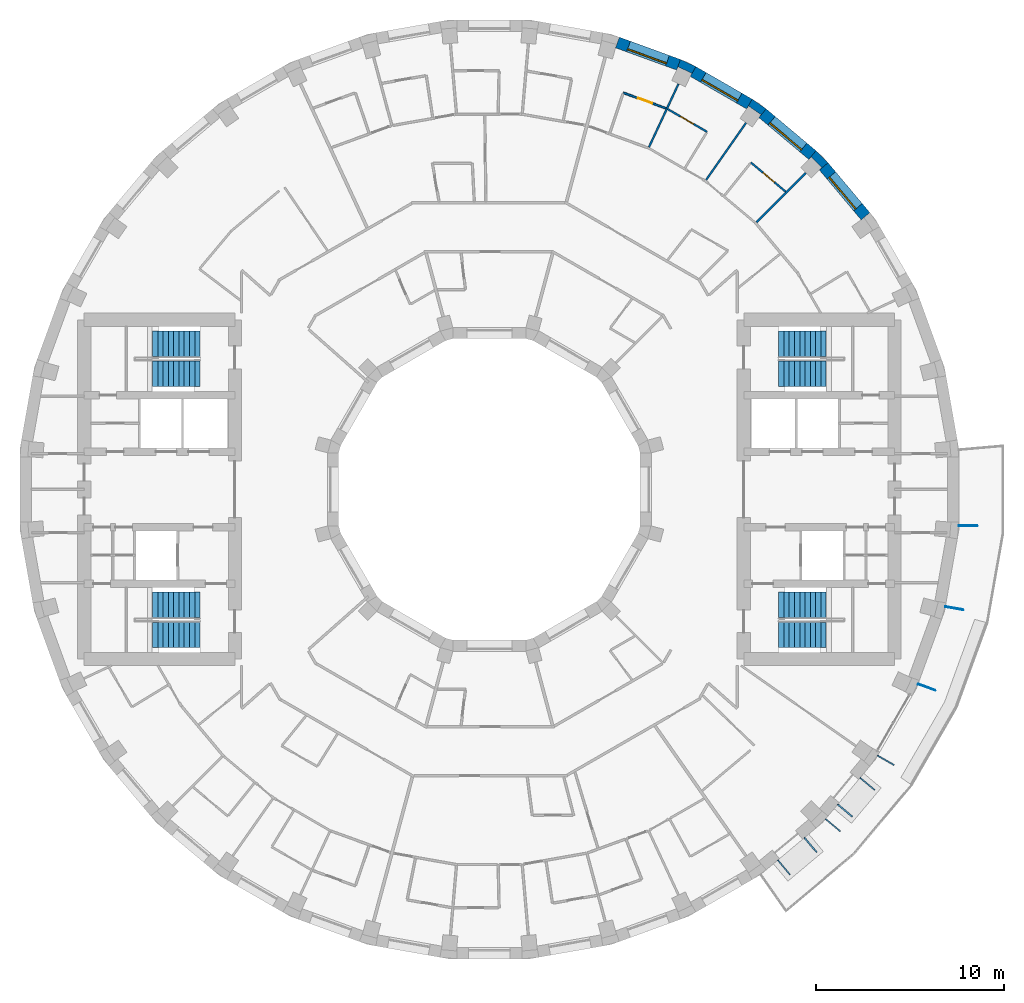
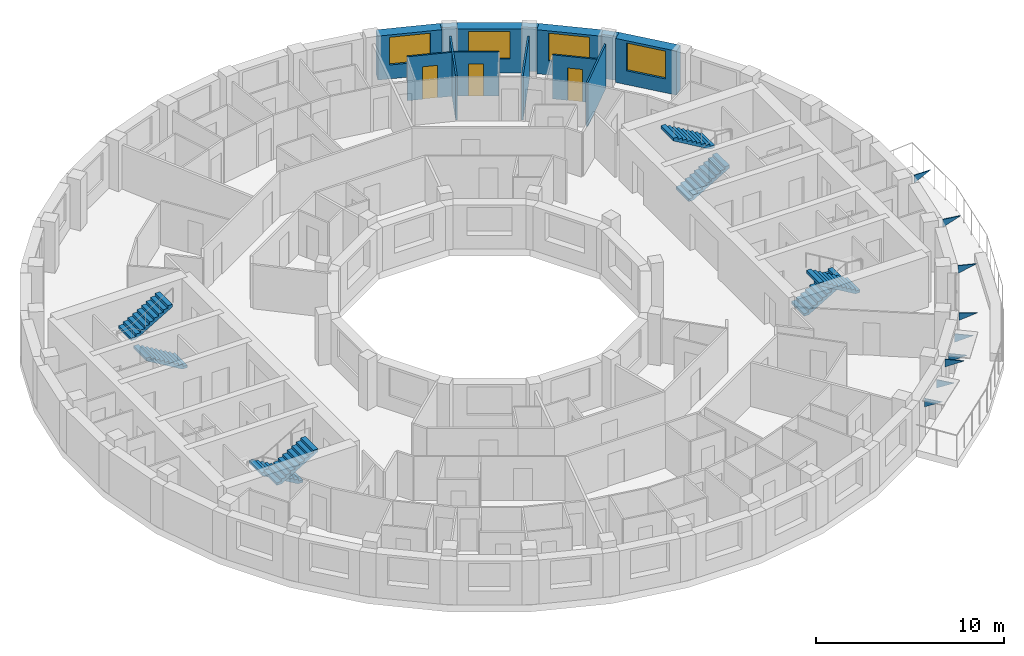
# One storey, part 13 of 14: 13 walls, 9 discrete accessories, 8 stair flights, 4 windows, 3 doors, 7 openings, 4 elements without a shape of their own.
"""IFC4 building model written with IfcOpenShell, lengths in metres."""

from ifc_helpers import new_model, si_unit, direction, frame, frame_2d, origin, place, context, subcontext, project, spatial, polyline, rectangle, outline, extrude, material, layer, layer_set, type_object, element, fill, aggregate, save


model = new_model("IFC4")

# Units and contexts
model_context = context("Model", 3, precision=1e-05, world=origin(), true_north=direction((0.0, 1.0)))
body_context = subcontext(model_context, "Body", "Model", "MODEL_VIEW")
ifc_project = project(units=[si_unit("LENGTHUNIT", "METRE"), si_unit("AREAUNIT", "SQUARE_METRE"), si_unit("VOLUMEUNIT", "CUBIC_METRE"), si_unit("PLANEANGLEUNIT", "RADIAN"), si_unit("MASSUNIT", "GRAM", prefix="KILO")], contexts=[model_context])

# Site, building, storey
site_placement = place(None, origin())
site = spatial("IfcSite", under=ifc_project, at=site_placement, CompositionType="ELEMENT")
building_placement = place(site_placement, origin())
building = spatial("IfcBuilding", under=site, at=building_placement, Name="Saqina Gate Tower", CompositionType="ELEMENT")
storey_placement = place(building_placement, frame((0.0, 0.0, 174.0)))
storey = spatial("IfcBuildingStorey", under=building, at=storey_placement, Name="L49", CompositionType="ELEMENT", Elevation=174.0)

# Walls
ifc_material_1 = material(Name="Brick masonry (buff)", Category="masonry")
wall_type_1 = type_object("IfcWallType", Name="BRICK PIER COPING BUFF", PredefinedType="SOLIDWALL", material=ifc_material_1)
wall_1_placement = place(storey_placement, origin())
element("IfcWall", 1, at=wall_1_placement, inside=storey, type_object=wall_type_1, Name="Pier cap L49 column 5", PredefinedType="SOLIDWALL", context=body_context, shape_type="SweptSolid", body=[
    extrude(outline(polyline([(17.329833984375, 17.969482421875), (16.944091796875, 17.510009765625), (17.07666015625, 17.642333984375), (17.642333984375, 17.07666015625), (17.510009765625, 16.944091796875), (17.969482421875, 17.329833984375), (17.329833984375, 17.969482421875)])), origin(), (0.0, 0.0, 1.0), 2.85009765625),
])
wall_2_placement = place(storey_placement, origin())
element("IfcWall", 2, at=wall_2_placement, inside=storey, type_object=wall_type_1, Name="Pier cap L49 column 6", PredefinedType="SOLIDWALL", context=body_context, shape_type="SweptSolid", body=[
    extrude(outline(polyline([(14.687255859375, 20.18701171875), (13.9462890625, 20.705810546875), (13.646240234375, 20.186279296875), (13.753662109375, 20.339599609375), (14.408935546875, 19.880859375), (14.301513671875, 19.727294921875), (14.687255859375, 20.18701171875)])), origin(), (0.0, 0.0, 1.0), 2.85009765625),
])
wall_3_placement = place(storey_placement, origin())
element("IfcWall", 3, at=wall_3_placement, inside=storey, type_object=wall_type_1, Name="Pier cap L49 column 7", PredefinedType="SOLIDWALL", context=body_context, shape_type="SweptSolid", body=[
    extrude(outline(polyline([(10.138916015625, 22.81298828125), (9.93359375, 22.249267578125), (10.0126953125, 22.4189453125), (10.73779296875, 22.080810546875), (10.65869140625, 21.9111328125), (10.958740234375, 22.4306640625), (10.138916015625, 22.81298828125)])), origin(), (0.0, 0.0, 1.0), 2.85009765625),
])

# Wall, opening, window
ifc_material_2 = material(Name="Brick masonry (buff)", Category="masonry")
ifc_layer_1 = layer(ifc_material_2, 0.60009765625)
ifc_layer_set_1 = layer_set([ifc_layer_1], Name="FW-BRICK-BUFF")
wall_type_2 = type_object("IfcWallType", Name="FW-BRICK-BUFF", PredefinedType="SOLIDWALL", material=ifc_layer_set_1)
wall_4_placement = place(storey_placement, frame((19.95703125, 14.494384765625, 0.0), z_axis=(0.0, 0.0, 1.0), x_axis=(-0.642770398358, 0.766058884809, 0.0)))
wall_4 = element("IfcWall", 4, at=wall_4_placement, inside=storey, type_object=wall_type_2, Name="Facade wall L49 facet 4", PredefinedType="SOLIDWALL", context=body_context, shape_type="SweptSolid", body=[
    extrude(rectangle(XDim=3.449462890625, YDim=0.60009765625, at=frame_2d((1.724609375, 0.0))), origin(), (0.0, 0.0, 1.0), 2.85009765625),
])
opening_1_placement = place(wall_4_placement, frame((0.625, 0.0, 0.89990234375)))
opening_1 = element("IfcOpeningElement", 5, at=opening_1_placement, cuts=wall_4, Name="Opening G14-W02", PredefinedType="OPENING", context=body_context, shape_type="SweptSolid", body=[
    extrude(rectangle(XDim=2.199951171875, YDim=1.800048828125, at=frame_2d((1.10009765625, 0.89990234375))), frame((0.0, 0.31201171875, 0.0), z_axis=(0.0, -1.0, 0.0), x_axis=(1.0, 0.0, 0.0)), (0.0, 0.0, 1.0), 0.6240234375),
])
ifc_material_3 = material(Name="Aluminium glazing", Category="aluminium")
window_type = type_object("IfcWindowType", Name="WN-C", PartitioningType="SINGLE_PANEL", PredefinedType="WINDOW", material=ifc_material_3)
window_1_placement = place(opening_1_placement, origin())
window_1 = element("IfcWindow", 6, at=window_1_placement, inside=storey, type_object=window_type, Name="Window L49 facet 4", OverallHeight=1.800048828125, OverallWidth=2.199951171875, PartitioningType="SINGLE_PANEL", PredefinedType="WINDOW", context=body_context, shape_type="SweptSolid", body=[
    extrude(rectangle(XDim=2.199951171875, YDim=1.800048828125, at=frame_2d((1.10009765625, 0.89990234375))), frame((0.0, 0.179931640625, 0.0), z_axis=(0.0, -1.0, 0.0), x_axis=(1.0, 0.0, 0.0)), (0.0, 0.0, 1.0), 0.06005859375),
])
fill(opening_1, window_1)

wall_5_placement = place(storey_placement, frame((17.136962890625, 17.73974609375, 0.0), z_axis=(0.0, 0.0, 1.0), x_axis=(-0.766058884809, 0.642770398358, 0.0)))
wall_5 = element("IfcWall", 7, at=wall_5_placement, inside=storey, type_object=wall_type_2, Name="Facade wall L49 facet 5", PredefinedType="SOLIDWALL", context=body_context, shape_type="SweptSolid", body=[
    extrude(rectangle(XDim=3.449462890625, YDim=0.60009765625, at=frame_2d((1.724609375, 0.0))), origin(), (0.0, 0.0, 1.0), 2.85009765625),
])
opening_2_placement = place(wall_5_placement, frame((0.625, 0.0, 0.89990234375)))
opening_2 = element("IfcOpeningElement", 8, at=opening_2_placement, cuts=wall_5, Name="Opening G14-W03", PredefinedType="OPENING", context=body_context, shape_type="SweptSolid", body=[
    extrude(rectangle(XDim=2.199951171875, YDim=1.800048828125, at=frame_2d((1.10009765625, 0.89990234375))), frame((0.0, 0.31201171875, 0.0), z_axis=(0.0, -1.0, 0.0), x_axis=(1.0, 0.0, 0.0)), (0.0, 0.0, 1.0), 0.6240234375),
])
window_2_placement = place(opening_2_placement, origin())
window_2 = element("IfcWindow", 9, at=window_2_placement, inside=storey, type_object=window_type, Name="Window L49 facet 5", OverallHeight=1.800048828125, OverallWidth=2.199951171875, PartitioningType="SINGLE_PANEL", PredefinedType="WINDOW", context=body_context, shape_type="SweptSolid", body=[
    extrude(rectangle(XDim=2.199951171875, YDim=1.800048828125, at=frame_2d((1.10009765625, 0.89990234375))), frame((0.0, 0.179931640625, 0.0), z_axis=(0.0, -1.0, 0.0), x_axis=(1.0, 0.0, 0.0)), (0.0, 0.0, 1.0), 0.06005859375),
])
fill(opening_2, window_2)

wall_6_placement = place(storey_placement, frame((13.796142578125, 20.446044921875, 0.0), z_axis=(0.0, 0.0, 1.0), x_axis=(-0.86602648383, 0.499998129301, 0.0)))
wall_6 = element("IfcWall", 10, at=wall_6_placement, inside=storey, type_object=wall_type_2, Name="Facade wall L49 facet 6", PredefinedType="SOLIDWALL", context=body_context, shape_type="SweptSolid", body=[
    extrude(rectangle(XDim=3.44970703125, YDim=0.60009765625, at=frame_2d((1.724853515625, 0.0))), origin(), (0.0, 0.0, 1.0), 2.85009765625),
])
opening_3_placement = place(wall_6_placement, frame((0.625, 0.0, 0.89990234375)))
opening_3 = element("IfcOpeningElement", 11, at=opening_3_placement, cuts=wall_6, Name="Opening G14-W04", PredefinedType="OPENING", context=body_context, shape_type="SweptSolid", body=[
    extrude(rectangle(XDim=2.199951171875, YDim=1.800048828125, at=frame_2d((1.10009765625, 0.89990234375))), frame((0.0, 0.31201171875, 0.0), z_axis=(0.0, -1.0, 0.0), x_axis=(1.0, 0.0, 0.0)), (0.0, 0.0, 1.0), 0.6240234375),
])
window_3_placement = place(opening_3_placement, origin())
window_3 = element("IfcWindow", 12, at=window_3_placement, inside=storey, type_object=window_type, Name="Window L49 facet 6", OverallHeight=1.800048828125, OverallWidth=2.199951171875, PartitioningType="SINGLE_PANEL", PredefinedType="WINDOW", context=body_context, shape_type="SweptSolid", body=[
    extrude(rectangle(XDim=2.199951171875, YDim=1.800048828125, at=frame_2d((1.10009765625, 0.89990234375))), frame((0.0, 0.179931640625, 0.0), z_axis=(0.0, -1.0, 0.0), x_axis=(1.0, 0.0, 0.0)), (0.0, 0.0, 1.0), 0.06005859375),
])
fill(opening_3, window_3)

wall_7_placement = place(storey_placement, frame((10.0361328125, 22.531005859375, 0.0), z_axis=(0.0, 0.0, 1.0), x_axis=(-0.93968799822, 0.342032843455, 0.0)))
wall_7 = element("IfcWall", 13, at=wall_7_placement, inside=storey, type_object=wall_type_2, Name="Facade wall L49 facet 7", PredefinedType="SOLIDWALL", context=body_context, shape_type="SweptSolid", body=[
    extrude(rectangle(XDim=3.44970703125, YDim=0.60009765625, at=frame_2d((1.724853515625, 0.0))), origin(), (0.0, 0.0, 1.0), 2.85009765625),
])
opening_4_placement = place(wall_7_placement, frame((0.625, 0.0, 0.89990234375)))
opening_4 = element("IfcOpeningElement", 14, at=opening_4_placement, cuts=wall_7, Name="Opening G14-W05", PredefinedType="OPENING", context=body_context, shape_type="SweptSolid", body=[
    extrude(rectangle(XDim=2.199951171875, YDim=1.800048828125, at=frame_2d((1.10009765625, 0.89990234375))), frame((0.0, 0.31201171875, 0.0), z_axis=(0.0, -1.0, 0.0), x_axis=(1.0, 0.0, 0.0)), (0.0, 0.0, 1.0), 0.6240234375),
])
window_4_placement = place(opening_4_placement, origin())
window_4 = element("IfcWindow", 15, at=window_4_placement, inside=storey, type_object=window_type, Name="Window L49 facet 7", OverallHeight=1.800048828125, OverallWidth=2.199951171875, PartitioningType="SINGLE_PANEL", PredefinedType="WINDOW", context=body_context, shape_type="SweptSolid", body=[
    extrude(rectangle(XDim=2.199951171875, YDim=1.800048828125, at=frame_2d((1.10009765625, 0.89990234375))), frame((0.0, 0.179931640625, 0.0), z_axis=(0.0, -1.0, 0.0), x_axis=(1.0, 0.0, 0.0)), (0.0, 0.0, 1.0), 0.06005859375),
])
fill(opening_4, window_4)

# Wall, opening, door
ifc_material_4 = material(Name="Gypsum board on steel studs, 100 mm", Category="steel")
ifc_layer_2 = layer(ifc_material_4, 0.10009765625)
ifc_layer_set_2 = layer_set([ifc_layer_2], Name="PARTITION 100")
wall_type_3 = type_object("IfcWallType", Name="PARTITION 100", PredefinedType="PARTITIONING", material=ifc_layer_set_2)
wall_8_placement = place(storey_placement, frame((13.876953125, 17.342041015625, 0.0), z_axis=(0.0, 0.0, 1.0), x_axis=(0.766024146731, -0.642811797204, 0.0)))
wall_8 = element("IfcWall", 16, at=wall_8_placement, inside=storey, type_object=wall_type_3, Name="PARTITION PW3-31", PredefinedType="PARTITIONING", context=body_context, shape_type="SweptSolid", body=[
    extrude(rectangle(XDim=2.409423828125, YDim=0.10009765625, at=frame_2d((1.20458984375, 0.0))), origin(), (0.0, 0.0, 1.0), 2.85009765625),
])
opening_5_placement = place(wall_8_placement, frame((0.82958984375, 0.0, 0.0)))
opening_5 = element("IfcOpeningElement", 17, at=opening_5_placement, cuts=wall_8, Name="Opening G14-D04", PredefinedType="OPENING", context=body_context, shape_type="SweptSolid", body=[
    extrude(rectangle(XDim=0.800048828125, YDim=2.10009765625, at=frame_2d((0.39990234375, 1.050048828125))), frame((0.0, 0.06201171875, 0.0), z_axis=(0.0, -1.0, 0.0), x_axis=(1.0, 0.0, 0.0)), (0.0, 0.0, 1.0), 0.1240234375),
])
ifc_material_5 = material(Name="Timber door leaf, 800 mm", Category="wood")
door_type = type_object("IfcDoorType", Name="DOOR 800 TIMBER", OperationType="SINGLE_SWING_LEFT", PredefinedType="DOOR", material=ifc_material_5)
door_1_placement = place(opening_5_placement, origin())
door_1 = element("IfcDoor", 18, at=door_1_placement, inside=storey, type_object=door_type, Name="DOOR G14-D04", OperationType="SINGLE_SWING_RIGHT", OverallHeight=2.10009765625, OverallWidth=0.800048828125, PredefinedType="DOOR", context=body_context, shape_type="SweptSolid", body=[
    extrude(rectangle(XDim=0.800048828125, YDim=2.10009765625, at=frame_2d((0.39990234375, 1.050048828125))), frame((0.0, 0.02490234375, 0.0), z_axis=(0.0, -1.0, 0.0), x_axis=(1.0, 0.0, 0.0)), (0.0, 0.0, 1.0), 0.050048828125),
])
fill(opening_5, door_1)

wall_9_placement = place(storey_placement, frame((9.46337890625, 20.176025390625, 0.0), z_axis=(0.0, 0.0, 1.0), x_axis=(0.866140030745, -0.499801407703, 0.0)))
wall_9 = element("IfcWall", 19, at=wall_9_placement, inside=storey, type_object=wall_type_3, Name="PARTITION PW3-41", PredefinedType="PARTITIONING", context=body_context, shape_type="SweptSolid", body=[
    extrude(rectangle(XDim=2.4091796875, YDim=0.10009765625, at=frame_2d((1.20458984375, 0.0))), origin(), (0.0, 0.0, 1.0), 2.85009765625),
])
opening_6_placement = place(wall_9_placement, frame((0.779541015625, 0.0, 0.0)))
opening_6 = element("IfcOpeningElement", 20, at=opening_6_placement, cuts=wall_9, Name="Opening G14-D10", PredefinedType="OPENING", context=body_context, shape_type="SweptSolid", body=[
    extrude(rectangle(XDim=0.800048828125, YDim=2.10009765625, at=frame_2d((0.39990234375, 1.050048828125))), frame((0.0, 0.06201171875, 0.0), z_axis=(0.0, -1.0, 0.0), x_axis=(1.0, 0.0, 0.0)), (0.0, 0.0, 1.0), 0.1240234375),
])
door_2_placement = place(opening_6_placement, origin())
door_2 = element("IfcDoor", 21, at=door_2_placement, inside=storey, type_object=door_type, Name="DOOR G14-D10", OperationType="SINGLE_SWING_LEFT", OverallHeight=2.10009765625, OverallWidth=0.800048828125, PredefinedType="DOOR", context=body_context, shape_type="SweptSolid", body=[
    extrude(rectangle(XDim=0.800048828125, YDim=2.10009765625, at=frame_2d((0.39990234375, 1.050048828125))), frame((0.0, 0.02490234375, 0.0), z_axis=(0.0, -1.0, 0.0), x_axis=(1.0, 0.0, 0.0)), (0.0, 0.0, 1.0), 0.050048828125),
])
fill(opening_6, door_2)

wall_10_placement = place(storey_placement, frame((7.10888671875, 21.0419921875, 0.0), z_axis=(0.0, 0.0, 1.0), x_axis=(0.939707598657, -0.34197898916, 0.0)))
wall_10 = element("IfcWall", 22, at=wall_10_placement, inside=storey, type_object=wall_type_3, Name="PARTITION PW3-45", PredefinedType="PARTITIONING", context=body_context, shape_type="SweptSolid", body=[
    extrude(rectangle(XDim=2.409423828125, YDim=0.10009765625, at=frame_2d((1.20458984375, 0.0))), origin(), (0.0, 0.0, 1.0), 2.85009765625),
])
opening_7_placement = place(wall_10_placement, frame((0.82958984375, 0.0, 0.0)))
opening_7 = element("IfcOpeningElement", 23, at=opening_7_placement, cuts=wall_10, Name="Opening G14-D12", PredefinedType="OPENING", context=body_context, shape_type="SweptSolid", body=[
    extrude(rectangle(XDim=0.800048828125, YDim=2.10009765625, at=frame_2d((0.39990234375, 1.050048828125))), frame((0.0, 0.06201171875, 0.0), z_axis=(0.0, -1.0, 0.0), x_axis=(1.0, 0.0, 0.0)), (0.0, 0.0, 1.0), 0.1240234375),
])
door_3_placement = place(opening_7_placement, origin())
door_3 = element("IfcDoor", 24, at=door_3_placement, inside=storey, type_object=door_type, Name="DOOR G14-D12", OperationType="SINGLE_SWING_RIGHT", OverallHeight=2.10009765625, OverallWidth=0.800048828125, PredefinedType="DOOR", context=body_context, shape_type="SweptSolid", body=[
    extrude(rectangle(XDim=0.800048828125, YDim=2.10009765625, at=frame_2d((0.39990234375, 1.050048828125))), frame((0.0, 0.02490234375, 0.0), z_axis=(0.0, -1.0, 0.0), x_axis=(1.0, 0.0, 0.0)), (0.0, 0.0, 1.0), 0.050048828125),
])
fill(opening_7, door_3)

# Walls
wall_11_placement = place(storey_placement, frame((14.173095703125, 14.173095703125, 0.0), z_axis=(0.0, 0.0, 1.0), x_axis=(0.707106781187, 0.707106781187, 0.0)))
element("IfcWall", 25, at=wall_11_placement, inside=storey, type_object=wall_type_3, Name="PARTITION PW3-81", PredefinedType="PARTITIONING", context=body_context, shape_type="SweptSolid", body=[
    extrude(rectangle(XDim=3.696044921875, YDim=0.10009765625, at=frame_2d((1.84814453125, 0.0))), origin(), (0.0, 0.0, 1.0), 2.85009765625),
])
wall_12_placement = place(storey_placement, frame((11.496826171875, 16.418212890625, 0.0), z_axis=(0.0, 0.0, 1.0), x_axis=(0.573515531974, 0.819194686619, 0.0)))
element("IfcWall", 26, at=wall_12_placement, inside=storey, type_object=wall_type_3, Name="PARTITION PW3-89", PredefinedType="PARTITIONING", context=body_context, shape_type="SweptSolid", body=[
    extrude(rectangle(XDim=3.69677734375, YDim=0.10009765625, at=frame_2d((1.848388671875, 0.0))), origin(), (0.0, 0.0, 1.0), 2.85009765625),
])
wall_13_placement = place(storey_placement, frame((8.465087890625, 18.154296875, 0.0), z_axis=(0.0, 0.0, 1.0), x_axis=(0.42277375715, 0.906235262096, 0.0)))
element("IfcWall", 27, at=wall_13_placement, inside=storey, type_object=wall_type_3, Name="PARTITION PW3-94", PredefinedType="PARTITIONING", context=body_context, shape_type="SweptSolid", body=[
    extrude(rectangle(XDim=3.709228515625, YDim=0.10009765625, at=frame_2d((1.8544921875, 0.0))), origin(), (0.0, 0.0, 1.0), 2.85009765625),
])

# Stair, stair flights
ifc_material_6 = material(Name="Concrete C40/50", Category="concrete")
stair_type = type_object("IfcStairType", Name="EXIT STAIR", PredefinedType="HALF_TURN_STAIR", material=ifc_material_6)
stair_1_placement = place(storey_placement, origin())
stair_1 = element("IfcStair", 28, at=stair_1_placement, inside=storey, type_object=stair_type, Name="EXIT STAIR 1", PredefinedType="HALF_TURN_STAIR")
ifc_material_7 = material(Name="Concrete C40/50", Category="concrete")
stair_flight_type = type_object("IfcStairFlightType", Name="EXIT STAIR FLIGHT", PredefinedType="STRAIGHT", material=ifc_material_7)
stair_flight_1_placement = place(storey_placement, frame((15.35009765625, 6.125, 0.0), z_axis=(0.0, 0.0, 1.0), x_axis=(1.0, 0.0, 0.0)))
stair_flight_1 = element("IfcStairFlight", 29, at=stair_flight_1_placement, type_object=stair_flight_type, Name="EXIT STAIR 1 FLIGHT 1", NumberOfRisers=10, NumberOfTreads=9, PredefinedType="STRAIGHT", RiserHeight=0.165, TreadLength=0.28, context=body_context, shape_type="SweptSolid", body=[
    extrude(outline(polyline([(0.0, 0.0), (0.0, 0.1650390625), (0.280029296875, 0.1650390625), (0.280029296875, 0.330078125), (0.56005859375, 0.330078125), (0.56005859375, 0.4951171875), (0.840087890625, 0.4951171875), (0.840087890625, 0.659912109375), (1.1201171875, 0.659912109375), (1.1201171875, 0.824951171875), (1.39990234375, 0.824951171875), (1.39990234375, 0.989990234375), (1.679931640625, 0.989990234375), (1.679931640625, 1.155029296875), (1.9599609375, 1.155029296875), (1.9599609375, 1.320068359375), (2.239990234375, 1.320068359375), (2.239990234375, 1.485107421875), (2.52001953125, 1.485107421875), (2.52001953125, 1.64990234375), (2.52001953125, 1.31103515625), (0.295166015625, 0.0), (0.0, 0.0)])), frame((0.0, 0.675048828125, 0.0), z_axis=(0.0, -1.0, 0.0), x_axis=(1.0, 0.0, 0.0)), (0.0, 0.0, 1.0), 1.35009765625),
])
stair_flight_2_placement = place(storey_placement, frame((17.8701171875, 7.72509765625, 1.64990234375), z_axis=(0.0, 0.0, 1.0), x_axis=(-1.0, 0.0, 0.0)))
stair_flight_2 = element("IfcStairFlight", 30, at=stair_flight_2_placement, type_object=stair_flight_type, Name="EXIT STAIR 1 FLIGHT 2", NumberOfRisers=10, NumberOfTreads=9, PredefinedType="STRAIGHT", RiserHeight=0.165, TreadLength=0.28, context=body_context, shape_type="SweptSolid", body=[
    extrude(outline(polyline([(0.0, 0.0), (0.0, 0.1650390625), (0.280029296875, 0.1650390625), (0.280029296875, 0.330078125), (0.56005859375, 0.330078125), (0.56005859375, 0.4951171875), (0.840087890625, 0.4951171875), (0.840087890625, 0.659912109375), (1.1201171875, 0.659912109375), (1.1201171875, 0.824951171875), (1.39990234375, 0.824951171875), (1.39990234375, 0.989990234375), (1.679931640625, 0.989990234375), (1.679931640625, 1.155029296875), (1.9599609375, 1.155029296875), (1.9599609375, 1.320068359375), (2.239990234375, 1.320068359375), (2.239990234375, 1.485107421875), (2.52001953125, 1.485107421875), (2.52001953125, 1.64990234375), (2.52001953125, 1.31103515625), (0.295166015625, 0.0), (0.0, 0.0)])), frame((0.0, 0.675048828125, 0.0), z_axis=(0.0, -1.0, 0.0), x_axis=(1.0, 0.0, 0.0)), (0.0, 0.0, 1.0), 1.35009765625),
])
aggregate(stair_1, [stair_flight_1, stair_flight_2])

stair_2_placement = place(storey_placement, origin())
stair_2 = element("IfcStair", 31, at=stair_2_placement, inside=storey, type_object=stair_type, Name="EXIT STAIR 2", PredefinedType="HALF_TURN_STAIR")
stair_flight_3_placement = place(storey_placement, frame((15.35009765625, -6.125, 0.0), z_axis=(0.0, 0.0, 1.0), x_axis=(1.0, 0.0, 0.0)))
stair_flight_3 = element("IfcStairFlight", 32, at=stair_flight_3_placement, type_object=stair_flight_type, Name="EXIT STAIR 2 FLIGHT 1", NumberOfRisers=10, NumberOfTreads=9, PredefinedType="STRAIGHT", RiserHeight=0.165, TreadLength=0.28, context=body_context, shape_type="SweptSolid", body=[
    extrude(outline(polyline([(0.0, 0.0), (0.0, 0.1650390625), (0.280029296875, 0.1650390625), (0.280029296875, 0.330078125), (0.56005859375, 0.330078125), (0.56005859375, 0.4951171875), (0.840087890625, 0.4951171875), (0.840087890625, 0.659912109375), (1.1201171875, 0.659912109375), (1.1201171875, 0.824951171875), (1.39990234375, 0.824951171875), (1.39990234375, 0.989990234375), (1.679931640625, 0.989990234375), (1.679931640625, 1.155029296875), (1.9599609375, 1.155029296875), (1.9599609375, 1.320068359375), (2.239990234375, 1.320068359375), (2.239990234375, 1.485107421875), (2.52001953125, 1.485107421875), (2.52001953125, 1.64990234375), (2.52001953125, 1.31103515625), (0.295166015625, 0.0), (0.0, 0.0)])), frame((0.0, 0.675048828125, 0.0), z_axis=(0.0, -1.0, 0.0), x_axis=(1.0, 0.0, 0.0)), (0.0, 0.0, 1.0), 1.35009765625),
])
stair_flight_4_placement = place(storey_placement, frame((17.8701171875, -7.72509765625, 1.64990234375), z_axis=(0.0, 0.0, 1.0), x_axis=(-1.0, 0.0, 0.0)))
stair_flight_4 = element("IfcStairFlight", 33, at=stair_flight_4_placement, type_object=stair_flight_type, Name="EXIT STAIR 2 FLIGHT 2", NumberOfRisers=10, NumberOfTreads=9, PredefinedType="STRAIGHT", RiserHeight=0.165, TreadLength=0.28, context=body_context, shape_type="SweptSolid", body=[
    extrude(outline(polyline([(0.0, 0.0), (0.0, 0.1650390625), (0.280029296875, 0.1650390625), (0.280029296875, 0.330078125), (0.56005859375, 0.330078125), (0.56005859375, 0.4951171875), (0.840087890625, 0.4951171875), (0.840087890625, 0.659912109375), (1.1201171875, 0.659912109375), (1.1201171875, 0.824951171875), (1.39990234375, 0.824951171875), (1.39990234375, 0.989990234375), (1.679931640625, 0.989990234375), (1.679931640625, 1.155029296875), (1.9599609375, 1.155029296875), (1.9599609375, 1.320068359375), (2.239990234375, 1.320068359375), (2.239990234375, 1.485107421875), (2.52001953125, 1.485107421875), (2.52001953125, 1.64990234375), (2.52001953125, 1.31103515625), (0.295166015625, 0.0), (0.0, 0.0)])), frame((0.0, 0.675048828125, 0.0), z_axis=(0.0, -1.0, 0.0), x_axis=(1.0, 0.0, 0.0)), (0.0, 0.0, 1.0), 1.35009765625),
])
aggregate(stair_2, [stair_flight_3, stair_flight_4])

stair_3_placement = place(storey_placement, origin())
stair_3 = element("IfcStair", 34, at=stair_3_placement, inside=storey, type_object=stair_type, Name="EXIT STAIR 3", PredefinedType="HALF_TURN_STAIR")
stair_flight_5_placement = place(storey_placement, frame((-15.35009765625, 6.125, 0.0), z_axis=(0.0, 0.0, 1.0), x_axis=(-1.0, 0.0, 0.0)))
stair_flight_5 = element("IfcStairFlight", 35, at=stair_flight_5_placement, type_object=stair_flight_type, Name="EXIT STAIR 3 FLIGHT 1", NumberOfRisers=10, NumberOfTreads=9, PredefinedType="STRAIGHT", RiserHeight=0.165, TreadLength=0.28, context=body_context, shape_type="SweptSolid", body=[
    extrude(outline(polyline([(0.0, 0.0), (0.0, 0.1650390625), (0.280029296875, 0.1650390625), (0.280029296875, 0.330078125), (0.56005859375, 0.330078125), (0.56005859375, 0.4951171875), (0.840087890625, 0.4951171875), (0.840087890625, 0.659912109375), (1.1201171875, 0.659912109375), (1.1201171875, 0.824951171875), (1.39990234375, 0.824951171875), (1.39990234375, 0.989990234375), (1.679931640625, 0.989990234375), (1.679931640625, 1.155029296875), (1.9599609375, 1.155029296875), (1.9599609375, 1.320068359375), (2.239990234375, 1.320068359375), (2.239990234375, 1.485107421875), (2.52001953125, 1.485107421875), (2.52001953125, 1.64990234375), (2.52001953125, 1.31103515625), (0.295166015625, 0.0), (0.0, 0.0)])), frame((0.0, 0.675048828125, 0.0), z_axis=(0.0, -1.0, 0.0), x_axis=(1.0, 0.0, 0.0)), (0.0, 0.0, 1.0), 1.35009765625),
])
stair_flight_6_placement = place(storey_placement, frame((-17.8701171875, 7.72509765625, 1.64990234375), z_axis=(0.0, 0.0, 1.0), x_axis=(1.0, 0.0, 0.0)))
stair_flight_6 = element("IfcStairFlight", 36, at=stair_flight_6_placement, type_object=stair_flight_type, Name="EXIT STAIR 3 FLIGHT 2", NumberOfRisers=10, NumberOfTreads=9, PredefinedType="STRAIGHT", RiserHeight=0.165, TreadLength=0.28, context=body_context, shape_type="SweptSolid", body=[
    extrude(outline(polyline([(0.0, 0.0), (0.0, 0.1650390625), (0.280029296875, 0.1650390625), (0.280029296875, 0.330078125), (0.56005859375, 0.330078125), (0.56005859375, 0.4951171875), (0.840087890625, 0.4951171875), (0.840087890625, 0.659912109375), (1.1201171875, 0.659912109375), (1.1201171875, 0.824951171875), (1.39990234375, 0.824951171875), (1.39990234375, 0.989990234375), (1.679931640625, 0.989990234375), (1.679931640625, 1.155029296875), (1.9599609375, 1.155029296875), (1.9599609375, 1.320068359375), (2.239990234375, 1.320068359375), (2.239990234375, 1.485107421875), (2.52001953125, 1.485107421875), (2.52001953125, 1.64990234375), (2.52001953125, 1.31103515625), (0.295166015625, 0.0), (0.0, 0.0)])), frame((0.0, 0.675048828125, 0.0), z_axis=(0.0, -1.0, 0.0), x_axis=(1.0, 0.0, 0.0)), (0.0, 0.0, 1.0), 1.35009765625),
])
aggregate(stair_3, [stair_flight_5, stair_flight_6])

stair_4_placement = place(storey_placement, origin())
stair_4 = element("IfcStair", 37, at=stair_4_placement, inside=storey, type_object=stair_type, Name="EXIT STAIR 4", PredefinedType="HALF_TURN_STAIR")
stair_flight_7_placement = place(storey_placement, frame((-15.35009765625, -6.125, 0.0), z_axis=(0.0, 0.0, 1.0), x_axis=(-1.0, 0.0, 0.0)))
stair_flight_7 = element("IfcStairFlight", 38, at=stair_flight_7_placement, type_object=stair_flight_type, Name="EXIT STAIR 4 FLIGHT 1", NumberOfRisers=10, NumberOfTreads=9, PredefinedType="STRAIGHT", RiserHeight=0.165, TreadLength=0.28, context=body_context, shape_type="SweptSolid", body=[
    extrude(outline(polyline([(0.0, 0.0), (0.0, 0.1650390625), (0.280029296875, 0.1650390625), (0.280029296875, 0.330078125), (0.56005859375, 0.330078125), (0.56005859375, 0.4951171875), (0.840087890625, 0.4951171875), (0.840087890625, 0.659912109375), (1.1201171875, 0.659912109375), (1.1201171875, 0.824951171875), (1.39990234375, 0.824951171875), (1.39990234375, 0.989990234375), (1.679931640625, 0.989990234375), (1.679931640625, 1.155029296875), (1.9599609375, 1.155029296875), (1.9599609375, 1.320068359375), (2.239990234375, 1.320068359375), (2.239990234375, 1.485107421875), (2.52001953125, 1.485107421875), (2.52001953125, 1.64990234375), (2.52001953125, 1.31103515625), (0.295166015625, 0.0), (0.0, 0.0)])), frame((0.0, 0.675048828125, 0.0), z_axis=(0.0, -1.0, 0.0), x_axis=(1.0, 0.0, 0.0)), (0.0, 0.0, 1.0), 1.35009765625),
])
stair_flight_8_placement = place(storey_placement, frame((-17.8701171875, -7.72509765625, 1.64990234375), z_axis=(0.0, 0.0, 1.0), x_axis=(1.0, 0.0, 0.0)))
stair_flight_8 = element("IfcStairFlight", 39, at=stair_flight_8_placement, type_object=stair_flight_type, Name="EXIT STAIR 4 FLIGHT 2", NumberOfRisers=10, NumberOfTreads=9, PredefinedType="STRAIGHT", RiserHeight=0.165, TreadLength=0.28, context=body_context, shape_type="SweptSolid", body=[
    extrude(outline(polyline([(0.0, 0.0), (0.0, 0.1650390625), (0.280029296875, 0.1650390625), (0.280029296875, 0.330078125), (0.56005859375, 0.330078125), (0.56005859375, 0.4951171875), (0.840087890625, 0.4951171875), (0.840087890625, 0.659912109375), (1.1201171875, 0.659912109375), (1.1201171875, 0.824951171875), (1.39990234375, 0.824951171875), (1.39990234375, 0.989990234375), (1.679931640625, 0.989990234375), (1.679931640625, 1.155029296875), (1.9599609375, 1.155029296875), (1.9599609375, 1.320068359375), (2.239990234375, 1.320068359375), (2.239990234375, 1.485107421875), (2.52001953125, 1.485107421875), (2.52001953125, 1.64990234375), (2.52001953125, 1.31103515625), (0.295166015625, 0.0), (0.0, 0.0)])), frame((0.0, 0.675048828125, 0.0), z_axis=(0.0, -1.0, 0.0), x_axis=(1.0, 0.0, 0.0)), (0.0, 0.0, 1.0), 1.35009765625),
])
aggregate(stair_4, [stair_flight_7, stair_flight_8])

# Discrete accessories
ifc_material_8 = material(Name="Galvanised steel", Category="steel")
ifc_layer_3 = layer(ifc_material_8, 0.050048828125)
ifc_layer_set_3 = layer_set([ifc_layer_3], Name="BR-AWNING")
discrete_accessory_type_1 = type_object("IfcDiscreteAccessoryType", Name="BR-AWNING", PredefinedType="BRACKET", material=ifc_layer_set_3)
for number, where, z_axis, x_axis, name in (
    (40, (15.319091796875, -19.65673828125, 1.97509765625), (0.765954930181, 0.642894271969, 0.0), (0.0, 0.0, 1.0), "Awning bracket L49 facet 31"),
    (41, (16.736083984375, -18.4677734375, 1.97509765625), (0.765954930181, 0.642894271969, 0.0), (0.0, 0.0, 1.0), "Awning bracket L49 facet 31"),
):
    element("IfcDiscreteAccessory", number, at=place(storey_placement, frame(where, z_axis=z_axis, x_axis=x_axis)), inside=storey, type_object=discrete_accessory_type_1, Name=name, PredefinedType="BRACKET", context=body_context, shape_type="SweptSolid", body=[
        extrude(outline(polyline([(0.0, 0.0), (0.5498046875, 0.0), (0.5498046875, 0.9998879966000863), (0.0, 0.0)])), origin(), (0.0, 0.0, -1.0), 0.050048828125),
    ])
discrete_accessory_1_placement = place(storey_placement, frame((18.499755859375, -16.697998046875, 1.97509765625), z_axis=(0.64277405138, 0.766055819685, 0.0), x_axis=(0.0, 0.0, 1.0)))
element("IfcDiscreteAccessory", 42, at=discrete_accessory_1_placement, inside=storey, type_object=discrete_accessory_type_1, Name="Awning bracket L49 facet 32", PredefinedType="BRACKET", context=body_context, shape_type="SweptSolid", body=[
    extrude(outline(polyline([(0.0, 0.0), (0.5498046875, 0.0), (0.5498046875, 1.0000750096322273), (0.0, 0.0)])), origin(), (0.0, 0.0, -1.0), 0.050048828125),
])
discrete_accessory_2_placement = place(storey_placement, frame((19.688720703125, -15.281005859375, 1.97509765625), z_axis=(0.642630756546, 0.766176031171, 0.0), x_axis=(0.0, 0.0, 1.0)))
element("IfcDiscreteAccessory", 43, at=discrete_accessory_2_placement, inside=storey, type_object=discrete_accessory_type_1, Name="Awning bracket L49 facet 32", PredefinedType="BRACKET", context=body_context, shape_type="SweptSolid", body=[
    extrude(outline(polyline([(0.0, 0.0), (0.5498046875, 0.0), (0.5498046875, 0.9999180998642624), (0.0, 0.0)])), origin(), (0.0, 0.0, -1.0), 0.050048828125),
])
ifc_material_9 = material(Name="Galvanised steel", Category="steel")
ifc_layer_4 = layer(ifc_material_9, 0.050048828125)
ifc_layer_set_4 = layer_set([ifc_layer_4], Name="BR-GUSSET")
discrete_accessory_type_2 = type_object("IfcDiscreteAccessoryType", Name="BR-GUSSET", PredefinedType="BRACKET", material=ifc_layer_set_4)
discrete_accessory_3_placement = place(storey_placement, frame((17.8544921875, -17.467041015625, 2.35009765625), z_axis=(0.64277405138, 0.766055819685, 0.0), x_axis=(0.0, 0.0, 1.0)))
element("IfcDiscreteAccessory", 44, at=discrete_accessory_3_placement, inside=storey, type_object=discrete_accessory_type_2, Name="Terrace slab bracket L50 1", PredefinedType="BRACKET", context=body_context, shape_type="SweptSolid", body=[
    extrude(outline(polyline([(0.0, 0.0), (0.5, 0.0), (0.5, 1.0000750096322275), (0.0, 0.0)])), origin(), (0.0, 0.0, -1.0), 0.050048828125),
])
discrete_accessory_4_placement = place(storey_placement, frame((20.6162109375, -14.101318359375, 2.35009765625), z_axis=(0.499919672301, 0.866071776036, 0.0), x_axis=(0.0, 0.0, 1.0)))
element("IfcDiscreteAccessory", 45, at=discrete_accessory_4_placement, inside=storey, type_object=discrete_accessory_type_2, Name="Terrace slab bracket L50 2", PredefinedType="BRACKET", context=body_context, shape_type="SweptSolid", body=[
    extrude(outline(polyline([(0.0, 0.0), (0.5, 0.0), (0.5, 1.0001606812130883), (0.0, 0.0)])), origin(), (0.0, 0.0, -1.0), 0.050048828125),
])
discrete_accessory_5_placement = place(storey_placement, frame((22.751708984375, -10.306884765625, 2.35009765625), z_axis=(0.34225263024, 0.939607969897, 0.0), x_axis=(0.0, 0.0, 1.0)))
element("IfcDiscreteAccessory", 46, at=discrete_accessory_5_placement, inside=storey, type_object=discrete_accessory_type_2, Name="Terrace slab bracket L50 3", PredefinedType="BRACKET", context=body_context, shape_type="SweptSolid", body=[
    extrude(outline(polyline([(0.0, 0.0), (0.5, 0.0), (0.5, 1.0000950350902602), (0.0, 0.0)])), origin(), (0.0, 0.0, -1.0), 0.050048828125),
])
discrete_accessory_6_placement = place(storey_placement, frame((24.19580078125, -6.19970703125, 2.35009765625), z_axis=(0.173576426815, 0.984820401928, 0.0), x_axis=(0.0, 0.0, 1.0)))
element("IfcDiscreteAccessory", 47, at=discrete_accessory_6_placement, inside=storey, type_object=discrete_accessory_type_2, Name="Terrace slab bracket L50 4", PredefinedType="BRACKET", context=body_context, shape_type="SweptSolid", body=[
    extrude(outline(polyline([(0.0, 0.0), (0.5, 0.0), (0.5, 1.000043540245132), (0.0, 0.0)])), origin(), (0.0, 0.0, -1.0), 0.050048828125),
])
discrete_accessory_7_placement = place(storey_placement, frame((24.90478515625, -1.90380859375, 2.35009765625), z_axis=(0.0, 1.0, 0.0), x_axis=(0.0, 0.0, 1.0)))
element("IfcDiscreteAccessory", 48, at=discrete_accessory_7_placement, inside=storey, type_object=discrete_accessory_type_2, Name="Terrace slab bracket L50 5", PredefinedType="BRACKET", context=body_context, shape_type="SweptSolid", body=[
    extrude(outline(polyline([(0.0, 0.0), (0.5, 0.0), (0.5, 1.0), (0.0, 0.0)])), origin(), (0.0, 0.0, -1.0), 0.050048828125),
])

save(model, "model.ifc")
